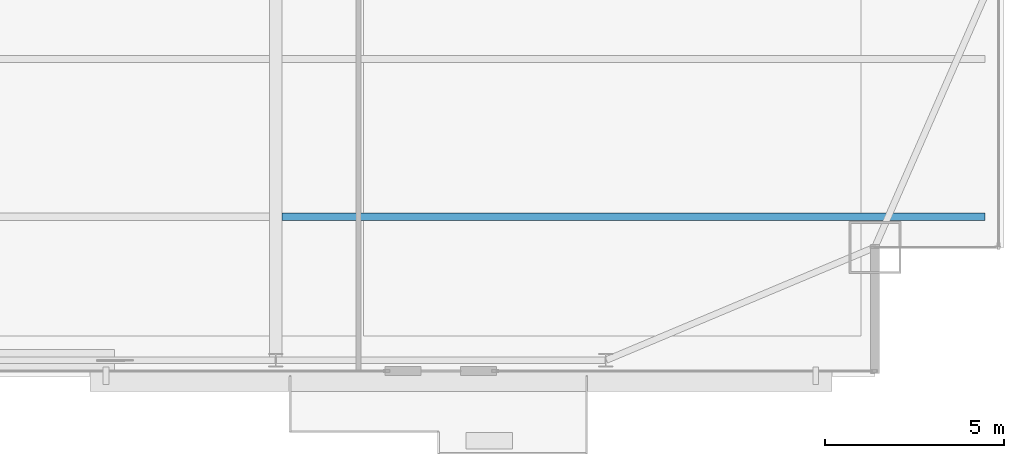
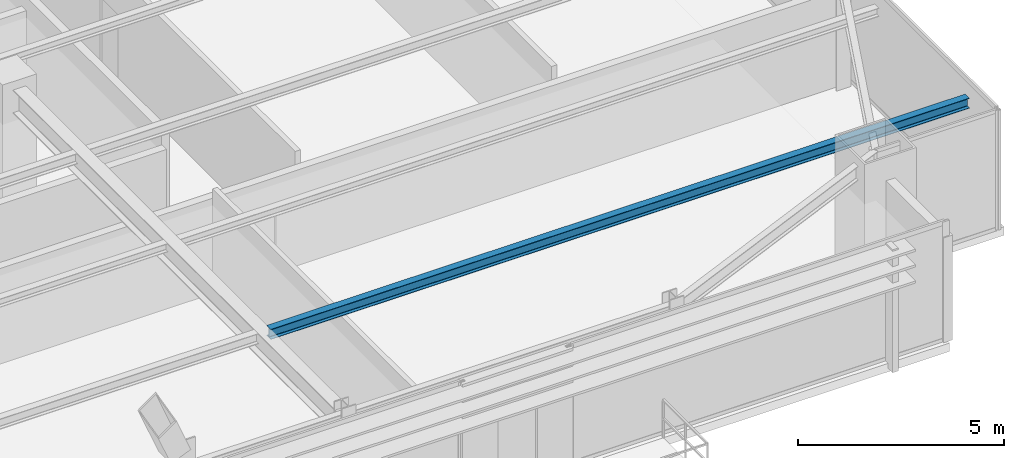
# One storey, part 15 of 37: 1 beam.
"""IFC4 building model written with IfcOpenShell, lengths in metres."""

import ifcopenshell
import ifcopenshell.guid

model = None  # the IFC model being written
_history = None  # IfcOwnerHistory: only IFC2X3 demands one
_inside = {}  # id of a spatial element -> (the spatial element, [elements in it])
_under = {}  # id of a project, library or spatial element -> (it, [spatial elements below it])
_declared = {}  # id of a project -> (the project, [libraries it declares])
_typed = {}  # id of a type object -> (the type object, [elements of that type])
_made_of = {}  # id of a material, layer set ... -> (it, [elements and type objects made of it])


def new_model(schema):
    """Start an empty IFC model of exactly this schema.

    Asked for "IFC4X3", IfcOpenShell would pick the latest addendum, in which some entities
    have other attributes; the version numbers below select the first issue.
    IFC2X3 requires an IfcOwnerHistory on every rooted entity: one is made here for all.
    """
    global model, _history
    if schema == "IFC4X3":
        model = ifcopenshell.file(schema_version=(4, 3, 0, 0))
    else:
        model = ifcopenshell.file(schema=schema)
    _inside.clear()
    _under.clear()
    _declared.clear()
    _typed.clear()
    _made_of.clear()
    _history = None
    if model.schema == "IFC2X3":
        org = make("IfcOrganization", Name="unknown")
        user = make(
            "IfcPersonAndOrganization",
            ThePerson=make("IfcPerson", FamilyName="unknown"),
            TheOrganization=org,
        )
        app = make(
            "IfcApplication",
            ApplicationDeveloper=org,
            Version="unknown",
            ApplicationFullName="unknown",
            ApplicationIdentifier="unknown",
        )
        _history = make(
            "IfcOwnerHistory",
            OwningUser=user,
            OwningApplication=app,
            ChangeAction="ADDED",
            CreationDate=0,
        )
    return model


def make(cls, **values):
    """One entity of the class cls with the attributes given. An attribute that is None is left unset."""
    return model.create_entity(
        cls, **{name: value for name, value in values.items() if value is not None}
    )


def rooted(cls, **values):
    """An entity with a GlobalId (a new one), such as an element, a storey or a relation."""
    return make(cls, GlobalId=ifcopenshell.guid.new(), OwnerHistory=_history, **values)


def si_unit(unit_type, name, prefix=None):
    """IfcSIUnit, for example si_unit("LENGTHUNIT", "METRE", prefix="MILLI")."""
    return make("IfcSIUnit", UnitType=unit_type, Prefix=prefix, Name=name)


def assignment(units):
    """IfcUnitAssignment: the units of a project."""
    return None if units is None else make("IfcUnitAssignment", Units=units)


def point(xyz):
    """IfcCartesianPoint."""
    return None if xyz is None else make("IfcCartesianPoint", Coordinates=xyz)


def direction(xyz):
    """IfcDirection."""
    return None if xyz is None else make("IfcDirection", DirectionRatios=xyz)


def frame(location, z_axis=None, x_axis=None):
    """IfcAxis2Placement3D, a coordinate frame: its origin and axes. An axis left out is left unset."""
    return make(
        "IfcAxis2Placement3D",
        Location=point(location),
        Axis=direction(z_axis),
        RefDirection=direction(x_axis),
    )


def frame_2d(location, x_axis=None):
    """IfcAxis2Placement2D, a coordinate frame in the plane: its origin and x axis."""
    return make(
        "IfcAxis2Placement2D", Location=point(location), RefDirection=direction(x_axis)
    )


def origin():
    """The frame at (0, 0, 0) with its axes left unset."""
    return frame((0.0, 0.0, 0.0))


def origin_2d():
    """The frame at (0, 0) in the plane with its x axis left unset."""
    return frame_2d((0.0, 0.0))


def place(relative_to, where):
    """IfcLocalPlacement: puts the frame where relative to a parent placement (None: the world)."""
    return make(
        "IfcLocalPlacement", PlacementRelTo=relative_to, RelativePlacement=where
    )


def context(
    kind, dimensions, precision=None, world=None, true_north=None, identifier=None
):
    """IfcGeometricRepresentationContext, for example the 3D "Model" context."""
    return make(
        "IfcGeometricRepresentationContext",
        ContextIdentifier=identifier,
        ContextType=kind,
        CoordinateSpaceDimension=dimensions,
        Precision=precision,
        WorldCoordinateSystem=world,
        TrueNorth=true_north,
    )


def subcontext(parent, identifier, kind, view, scale=None):
    """IfcGeometricRepresentationSubContext, for example "Body" below "Model"."""
    return make(
        "IfcGeometricRepresentationSubContext",
        ContextIdentifier=identifier,
        ContextType=kind,
        ParentContext=parent,
        TargetScale=scale,
        TargetView=view,
    )


def project(units=None, contexts=None):
    """IfcProject with its units and contexts."""
    return rooted(
        "IfcProject",
        Name="project",
        RepresentationContexts=contexts,
        UnitsInContext=assignment(units),
    )


def spatial(cls, under=None, at=None, **own):
    """A site, building, storey or space (cls), placed at a placement, below another one or the project."""
    s = rooted(cls, ObjectPlacement=at, **own)
    if under is not None:
        _under.setdefault(under.id(), (under, []))[1].append(s)
    return s


def profile(cls, at=None, kind="AREA", **sizes):
    """A parametric profile (cls). Its sizes go by their IFC names, for example OverallWidth=200.0."""
    return make(cls, ProfileType=kind, Position=at, **sizes)


def i_section(**sizes):
    """IfcIShapeProfileDef."""
    return profile("IfcIShapeProfileDef", **sizes)


def extrude(swept, where, along, depth):
    """IfcExtrudedAreaSolid: the profile swept, set in the frame where, extruded along a direction by depth."""
    return make(
        "IfcExtrudedAreaSolid",
        SweptArea=swept,
        Position=where,
        ExtrudedDirection=direction(along),
        Depth=depth,
    )


def shape(context_of_items, identifier, shape_type, items):
    """IfcShapeRepresentation: the items that make up one representation, for example the "Body"."""
    return make(
        "IfcShapeRepresentation",
        ContextOfItems=context_of_items,
        RepresentationIdentifier=identifier,
        RepresentationType=shape_type,
        Items=items,
    )


def source(mapping_origin, context_of_items, identifier, shape_type, items):
    """IfcRepresentationMap: a shape defined once, which mapped items show again and again."""
    return make(
        "IfcRepresentationMap",
        MappingOrigin=mapping_origin,
        MappedRepresentation=shape(context_of_items, identifier, shape_type, items),
    )


def transform(
    local_origin,
    x_axis=None,
    y_axis=None,
    z_axis=None,
    scale=None,
    scale2=None,
    scale3=None,
    uniform=True,
):
    """IfcCartesianTransformationOperator3D, or its non-uniform kind. x_axis, y_axis, z_axis: its Axis1, 2, 3."""
    if uniform:
        return make(
            "IfcCartesianTransformationOperator3D",
            Axis1=direction(x_axis),
            Axis2=direction(y_axis),
            LocalOrigin=point(local_origin),
            Scale=scale,
            Axis3=direction(z_axis),
        )
    return make(
        "IfcCartesianTransformationOperator3DnonUniform",
        Axis1=direction(x_axis),
        Axis2=direction(y_axis),
        LocalOrigin=point(local_origin),
        Scale=scale,
        Axis3=direction(z_axis),
        Scale2=scale2,
        Scale3=scale3,
    )


def mapped(mapping_source, mapping_target):
    """IfcMappedItem: shows the shape of a source again, moved by a transform."""
    return make(
        "IfcMappedItem", MappingSource=mapping_source, MappingTarget=mapping_target
    )


def material(Name=None, Category=None):
    """IfcMaterial."""
    return make("IfcMaterial", Name=Name, Category=Category)


def material_profile(
    of_material, cross_section, Name=None, Category=None, Priority=None
):
    """IfcMaterialProfile: a cross section and its material."""
    return make(
        "IfcMaterialProfile",
        Name=Name,
        Material=of_material,
        Profile=cross_section,
        Priority=Priority,
        Category=Category,
    )


def profile_set(profiles, Name=None, composite=None):
    """IfcMaterialProfileSet."""
    return make(
        "IfcMaterialProfileSet",
        Name=Name,
        MaterialProfiles=profiles,
        CompositeProfile=composite,
    )


def made_of(thing, what):
    """Note that an element or type object is made of a material, layer set ...; save() writes the relation."""
    if what is not None:
        _made_of.setdefault(what.id(), (what, []))[1].append(thing)
    return thing


def type_object(cls, material=None, **own):
    """A type object (cls), such as IfcWallType, which elements share."""
    return made_of(rooted(cls, **own), material)


def type_shapes(of_type, sources):
    """Give a type object the sources (RepresentationMaps) that its elements show as mapped items."""
    of_type.RepresentationMaps = sources


def element(
    cls,
    number,
    at=None,
    inside=None,
    cuts=None,
    type_object=None,
    material=None,
    context=None,
    identifier="Body",
    shape_type=None,
    held_by="IfcProductDefinitionShape",
    body=None,
    shapes=None,
    **own,
):
    """One element of the class cls, such as IfcWall. Its Tag is "e" and its number.

    at: its placement. inside: the storey or other place that contains it. cuts: it is an
    opening in that element (IfcRelVoidsElement). A single representation is given by context,
    identifier, shape_type and body (its items); several are given by shapes. held_by: the class
    of the entity that holds the representations. save() writes the other relations.
    """
    e = rooted(cls, Tag="e%d" % number, ObjectPlacement=at, **own)
    if body is not None:
        shapes = [shape(context, identifier, shape_type, body)]
    if shapes is not None:
        e.Representation = make(held_by, Representations=shapes)
    if inside is not None:
        _inside.setdefault(inside.id(), (inside, []))[1].append(e)
    if cuts is not None:
        rooted(
            "IfcRelVoidsElement", RelatingBuildingElement=cuts, RelatedOpeningElement=e
        )
    if type_object is not None:
        _typed.setdefault(type_object.id(), (type_object, []))[1].append(e)
    return made_of(e, material)


def aggregate(whole, parts):
    """IfcRelAggregates: a whole, such as a stair, and the parts it consists of."""
    return rooted("IfcRelAggregates", RelatingObject=whole, RelatedObjects=parts)


def save(model, path):
    """Write the relations noted so far, then the file.

    IfcRelAggregates (storeys below a building ...), IfcRelContainedInSpatialStructure (elements
    in a storey), IfcRelDefinesByType, IfcRelAssociatesMaterial and IfcRelDeclares: one each for
    every whole, place, type object, material and project.
    """
    for whole, parts in _under.values():
        aggregate(whole, parts)
    for where, things in _inside.values():
        rooted(
            "IfcRelContainedInSpatialStructure",
            RelatedElements=things,
            RelatingStructure=where,
        )
    for kind, things in _typed.values():
        rooted("IfcRelDefinesByType", RelatedObjects=things, RelatingType=kind)
    for what, things in _made_of.values():
        rooted("IfcRelAssociatesMaterial", RelatedObjects=things, RelatingMaterial=what)
    for by, libraries in _declared.values():
        rooted("IfcRelDeclares", RelatingContext=by, RelatedDefinitions=libraries)
    model.write(path)


model = new_model("IFC4")

# Units and contexts
model_context = context("Model", 3, precision=1e-05, world=origin(), true_north=direction((0.0, 1.0)))
body_context = subcontext(model_context, "Body", "Model", "MODEL_VIEW")
ifc_project = project(units=[si_unit("LENGTHUNIT", "METRE"), si_unit("AREAUNIT", "SQUARE_METRE"), si_unit("VOLUMEUNIT", "CUBIC_METRE"), si_unit("PLANEANGLEUNIT", "RADIAN"), si_unit("MASSUNIT", "GRAM", prefix="KILO")], contexts=[model_context])

# Site, building, storey
site_placement = place(None, origin())
site = spatial("IfcSite", under=ifc_project, at=site_placement, CompositionType="ELEMENT")
building_placement = place(site_placement, origin())
building = spatial("IfcBuilding", under=site, at=building_placement, Name="Varnel Quay Broadcast Tower", CompositionType="ELEMENT")
storey_placement = place(building_placement, frame((0.0, 0.0, 125.800048828125)))
storey = spatial("IfcBuildingStorey", under=building, at=storey_placement, Name="L30", CompositionType="ELEMENT", Elevation=125.800048828125)

# Beam
ifc_material = material(Name="Structural Steel CSA G40.21 350W", Category="steel")
ifc_material_profile = material_profile(ifc_material, i_section(OverallWidth=0.202880859375, OverallDepth=0.302978515625, WebThickness=0.007568359375, FlangeThickness=0.01318359375, FilletRadius=0.011962890625, at=origin_2d()), Name="W310X60")
ifc_profile_set = profile_set([ifc_material_profile], Name="Structural Steel CSA G40.21 350W")
beam_type = type_object("IfcBeamType", Name="Beam_W310X60", PredefinedType="JOIST", material=ifc_profile_set)
shared_shape = source(origin(), body_context, "Body", "SweptSolid", [
    extrude(i_section(OverallWidth=0.202880859375, OverallDepth=0.302978515625, WebThickness=0.007568359375, FlangeThickness=0.01318359375, FilletRadius=0.011962890625, at=origin_2d()), origin(), (0.0, 0.0, 1.0), 19.592041015625),
])
type_shapes(beam_type, [shared_shape])
beam_placement = place(storey_placement, frame((43.37255859375, 8.64990234375, 3.3984375), z_axis=(1.0, 0.0, 0.0), x_axis=(0.0, 1.0, 0.0)))
element("IfcBeam", 1, at=beam_placement, inside=storey, type_object=beam_type, Name="L30 East Floor Joist 1", PredefinedType="JOIST", context=body_context, shape_type="MappedRepresentation", body=[
    mapped(shared_shape, transform((0.0, 0.0, 0.0), x_axis=(1.0, 0.0, 0.0), y_axis=(0.0, 1.0, 0.0), z_axis=(0.0, 0.0, 1.0), scale=1.0)),
])

save(model, "model.ifc")
